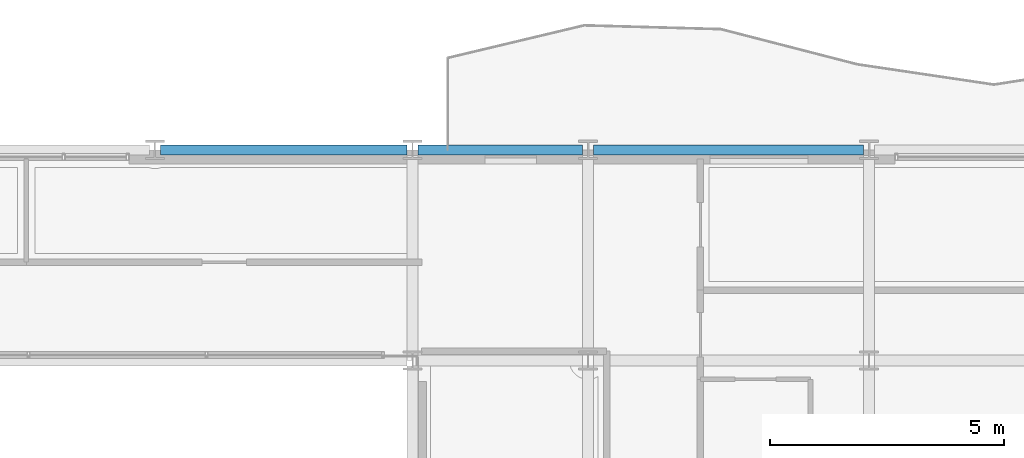
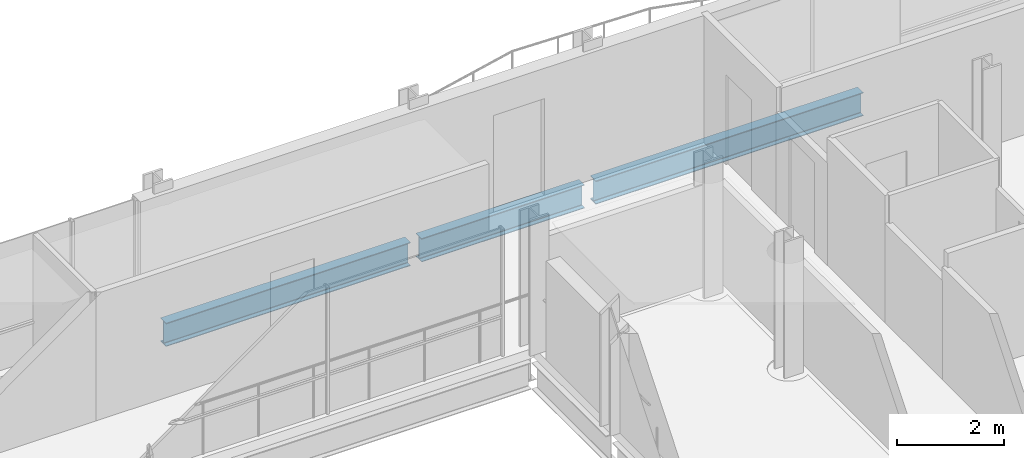
# One storey, part 25 of 41: 3 beams.
"""IFC4 building model written with IfcOpenShell, lengths in metres."""

from ifc_helpers import new_model, si_unit, direction, frame, origin, origin_2d, place, context, subcontext, project, spatial, i_section, extrude, material, material_profile, profile_set, type_object, element, save


model = new_model("IFC4")

# Units and contexts
model_context = context("Model", 3, precision=1e-05, world=origin(), true_north=direction((0.0, 1.0)))
body_context = subcontext(model_context, "Body", "Model", "MODEL_VIEW")
ifc_project = project(units=[si_unit("LENGTHUNIT", "METRE"), si_unit("AREAUNIT", "SQUARE_METRE"), si_unit("VOLUMEUNIT", "CUBIC_METRE"), si_unit("PLANEANGLEUNIT", "RADIAN"), si_unit("MASSUNIT", "GRAM", prefix="KILO")], contexts=[model_context])

# Site, building, storey
site_placement = place(None, origin())
site = spatial("IfcSite", under=ifc_project, at=site_placement, CompositionType="ELEMENT")
building_placement = place(site_placement, origin())
building = spatial("IfcBuilding", under=site, at=building_placement, Name="Brevholm Reach", CompositionType="ELEMENT")
storey_placement = place(building_placement, frame((0.0, 0.0, 169.699951171875)))
storey = spatial("IfcBuildingStorey", under=building, at=storey_placement, Name="L51", CompositionType="ELEMENT", Elevation=169.699951171875)

# Beams
ifc_material = material(Name="Structural Steel S355J2", Category="steel")
ifc_material_profile = material_profile(ifc_material, i_section(OverallWidth=0.209228515625, OverallDepth=0.533203125, WebThickness=0.010009765625, FlangeThickness=0.015625, FilletRadius=0.0126953125, at=origin_2d()), Name="UKB 533x210x92")
ifc_profile_set = profile_set([ifc_material_profile], Name="Structural Steel S355J2")
beam_type = type_object("IfcBeamType", Name="BM-SP533", PredefinedType="SPANDREL", material=ifc_profile_set)
beam_1_placement = place(storey_placement, frame((32.8701171875, 31.0, -0.486572265625), z_axis=(1.0, 0.0, 0.0), x_axis=(0.0, 1.0, 0.0)))
element("IfcBeam", 1, at=beam_1_placement, inside=storey, type_object=beam_type, Name="L51 SP-02 Framing Beam", PredefinedType="SPANDREL", context=body_context, shape_type="SweptSolid", body=[
    extrude(i_section(OverallWidth=0.209228515625, OverallDepth=0.533203125, WebThickness=0.010009765625, FlangeThickness=0.015625, FilletRadius=0.0126953125, at=origin_2d()), origin(), (0.0, 0.0, 1.0), 5.259765625),
])
beam_2_placement = place(storey_placement, frame((38.3701171875, 31.0, -0.486572265625), z_axis=(1.0, 0.0, 0.0), x_axis=(0.0, 1.0, 0.0)))
element("IfcBeam", 2, at=beam_2_placement, inside=storey, type_object=beam_type, Name="L51 SP-02 Framing Beam", PredefinedType="SPANDREL", context=body_context, shape_type="SweptSolid", body=[
    extrude(i_section(OverallWidth=0.209228515625, OverallDepth=0.533203125, WebThickness=0.010009765625, FlangeThickness=0.015625, FilletRadius=0.0126953125, at=origin_2d()), origin(), (0.0, 0.0, 1.0), 3.509765625),
])
beam_3_placement = place(storey_placement, frame((42.1201171875, 31.0, -0.486572265625), z_axis=(1.0, 0.0, 0.0), x_axis=(0.0, 1.0, 0.0)))
element("IfcBeam", 3, at=beam_3_placement, inside=storey, type_object=beam_type, Name="L51 SP-02 Framing Beam", PredefinedType="SPANDREL", context=body_context, shape_type="SweptSolid", body=[
    extrude(i_section(OverallWidth=0.209228515625, OverallDepth=0.533203125, WebThickness=0.010009765625, FlangeThickness=0.015625, FilletRadius=0.0126953125, at=origin_2d()), origin(), (0.0, 0.0, 1.0), 5.759765625),
])

save(model, "model.ifc")
